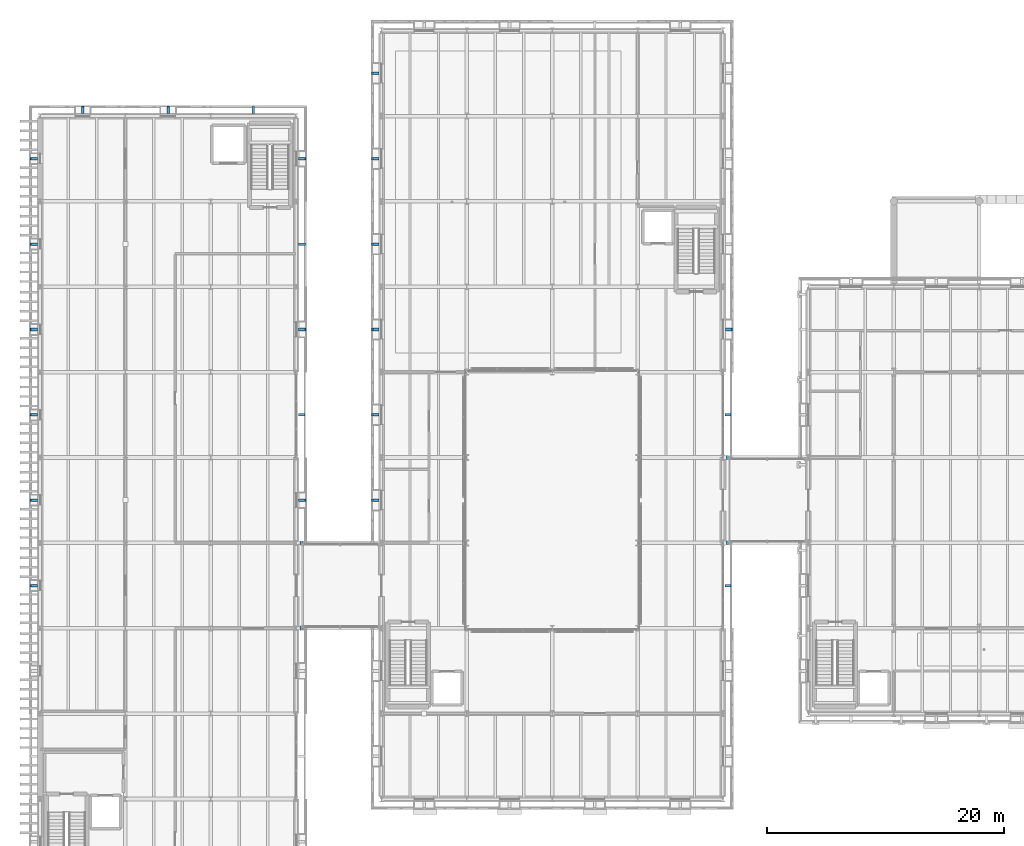
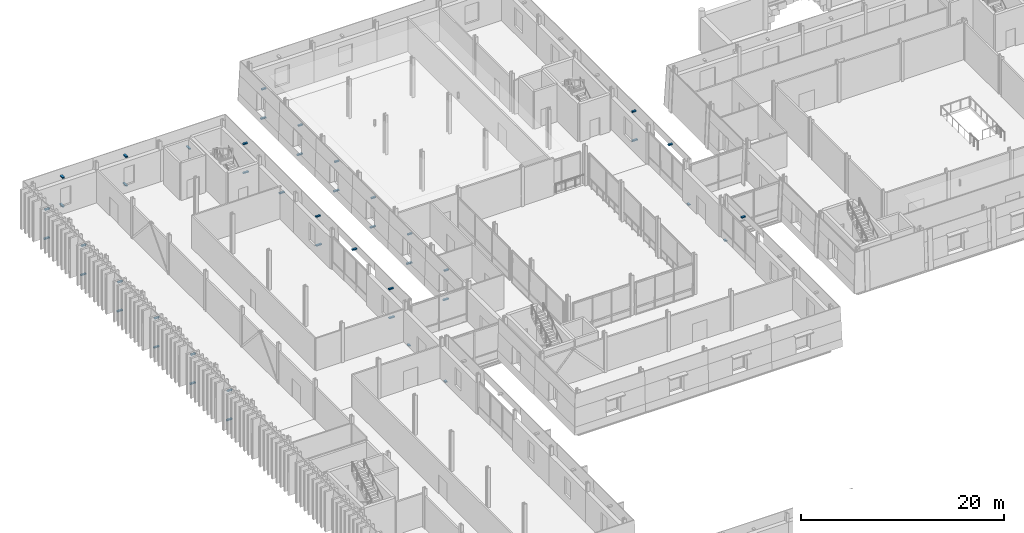
# One storey, part 94 of 121: 45 discrete accessories.
"""IFC4 building model written with IfcOpenShell, lengths in metres."""

from ifc_helpers import new_model, si_unit, direction, frame, origin, origin_2d, place, context, subcontext, project, spatial, rectangle, extrude, material, layer, layer_set, type_object, element, save


model = new_model("IFC4")

# Units and contexts
model_context = context("Model", 3, precision=1e-05, world=origin(), true_north=direction((0.0, 1.0)))
body_context = subcontext(model_context, "Body", "Model", "MODEL_VIEW")
ifc_project = project(units=[si_unit("LENGTHUNIT", "METRE"), si_unit("AREAUNIT", "SQUARE_METRE"), si_unit("VOLUMEUNIT", "CUBIC_METRE"), si_unit("PLANEANGLEUNIT", "RADIAN"), si_unit("MASSUNIT", "GRAM", prefix="KILO")], contexts=[model_context])

# Site, building, storey
site_placement = place(None, origin())
site = spatial("IfcSite", under=ifc_project, at=site_placement, CompositionType="ELEMENT")
building_placement = place(site_placement, origin())
building = spatial("IfcBuilding", under=site, at=building_placement, Name="Narikvali Park Central Library", CompositionType="ELEMENT")
storey_placement = place(building_placement, frame((0.0, 0.0, 5.39990234375)))
storey = spatial("IfcBuildingStorey", under=building, at=storey_placement, Name="L01", CompositionType="ELEMENT", Elevation=5.39990234375)

# Discrete accessories
ifc_material = material(Name="Brushed Stainless Steel S355", Category="steel")
ifc_layer_1 = layer(ifc_material, 0.139892578125, Name="Brushed Stainless Steel S355")
ifc_layer_set_1 = layer_set([ifc_layer_1], Name="Brushed Stainless Steel S355")
discrete_accessory_type_1 = type_object("IfcDiscreteAccessoryType", Name="Cladding Stainless Tie-Back Corbel Bracket", PredefinedType="BRACKET", material=ifc_layer_set_1)
for number, where, z_axis, x_axis, name in (
    (1, (58.040771484375, 68.39990234375, 4.2802734375), (0.0, 0.0, 1.0), (1.0, 0.0, 0.0), "Limestone Cladding Tie-Back Bracket V4-CLD-L01-E-B03-HDR"),
    (2, (58.040771484375, 82.800048828125, 4.2802734375), (0.0, 0.0, 1.0), (1.0, 0.0, 0.0), "Limestone Cladding Tie-Back Bracket V4-CLD-L01-E-B05-HDR"),
):
    element("IfcDiscreteAccessory", number, at=place(storey_placement, frame(where, z_axis=z_axis, x_axis=x_axis)), inside=storey, type_object=discrete_accessory_type_1, Name=name, PredefinedType="BRACKET", context=body_context, shape_type="SweptSolid", body=[
        extrude(rectangle(XDim=0.50146484375, YDim=0.219970703125, at=origin_2d()), origin(), (0.0, 0.0, 1.0), 0.139892578125),
    ])
discrete_accessory_1_placement = place(storey_placement, frame((58.1162109375, 90.0, 0.4052734375), z_axis=(0.0, 0.0, 1.0), x_axis=(1.0, 0.0, 0.0)))
element("IfcDiscreteAccessory", 3, at=discrete_accessory_1_placement, inside=storey, type_object=discrete_accessory_type_1, Name="Limestone Cladding Tie-Back Bracket V4-CLD-L01-E-B06-SP", PredefinedType="BRACKET", context=body_context, shape_type="SweptSolid", body=[
    extrude(rectangle(XDim=0.612060546875, YDim=0.219970703125, at=origin_2d()), origin(), (0.0, 0.0, 1.0), 0.139892578125),
])
discrete_accessory_2_placement = place(storey_placement, frame((58.05712890625, 90.0, 3.9052734375), z_axis=(0.0, 0.0, 1.0), x_axis=(1.0, 0.0, 0.0)))
element("IfcDiscreteAccessory", 4, at=discrete_accessory_2_placement, inside=storey, type_object=discrete_accessory_type_1, Name="Limestone Cladding Tie-Back Bracket V4-CLD-L01-E-B06-LN", PredefinedType="BRACKET", context=body_context, shape_type="SweptSolid", body=[
    extrude(rectangle(XDim=0.494140625, YDim=0.219970703125, at=origin_2d()), origin(), (0.0, 0.0, 1.0), 0.139892578125),
])
discrete_accessory_3_placement = place(storey_placement, frame((28.283935546875, 111.60009765625, 0.4052734375), z_axis=(0.0, 0.0, 1.0), x_axis=(1.0, 0.0, 0.0)))
element("IfcDiscreteAccessory", 5, at=discrete_accessory_3_placement, inside=storey, type_object=discrete_accessory_type_1, Name="Limestone Cladding Tie-Back Bracket V4-CLD-L01-W-B01-SP", PredefinedType="BRACKET", context=body_context, shape_type="SweptSolid", body=[
    extrude(rectangle(XDim=0.612060546875, YDim=0.219970703125, at=origin_2d()), origin(), (0.0, 0.0, 1.0), 0.139892578125),
])
discrete_accessory_4_placement = place(storey_placement, frame((28.343017578125, 111.60009765625, 3.9052734375), z_axis=(0.0, 0.0, 1.0), x_axis=(1.0, 0.0, 0.0)))
element("IfcDiscreteAccessory", 6, at=discrete_accessory_4_placement, inside=storey, type_object=discrete_accessory_type_1, Name="Limestone Cladding Tie-Back Bracket V4-CLD-L01-W-B01-LN", PredefinedType="BRACKET", context=body_context, shape_type="SweptSolid", body=[
    extrude(rectangle(XDim=0.494140625, YDim=0.219970703125, at=origin_2d()), origin(), (0.0, 0.0, 1.0), 0.139892578125),
])
discrete_accessory_5_placement = place(storey_placement, frame((28.283935546875, 104.39990234375, 0.4052734375), z_axis=(0.0, 0.0, 1.0), x_axis=(1.0, 0.0, 0.0)))
element("IfcDiscreteAccessory", 7, at=discrete_accessory_5_placement, inside=storey, type_object=discrete_accessory_type_1, Name="Limestone Cladding Tie-Back Bracket V4-CLD-L01-W-B02-SP", PredefinedType="BRACKET", context=body_context, shape_type="SweptSolid", body=[
    extrude(rectangle(XDim=0.612060546875, YDim=0.219970703125, at=origin_2d()), origin(), (0.0, 0.0, 1.0), 0.139892578125),
])
discrete_accessory_6_placement = place(storey_placement, frame((28.343017578125, 104.39990234375, 3.9052734375), z_axis=(0.0, 0.0, 1.0), x_axis=(1.0, 0.0, 0.0)))
element("IfcDiscreteAccessory", 8, at=discrete_accessory_6_placement, inside=storey, type_object=discrete_accessory_type_1, Name="Limestone Cladding Tie-Back Bracket V4-CLD-L01-W-B02-LN", PredefinedType="BRACKET", context=body_context, shape_type="SweptSolid", body=[
    extrude(rectangle(XDim=0.494140625, YDim=0.219970703125, at=origin_2d()), origin(), (0.0, 0.0, 1.0), 0.139892578125),
])
discrete_accessory_7_placement = place(storey_placement, frame((28.283935546875, 97.199951171875, 0.4052734375), z_axis=(0.0, 0.0, 1.0), x_axis=(1.0, 0.0, 0.0)))
element("IfcDiscreteAccessory", 9, at=discrete_accessory_7_placement, inside=storey, type_object=discrete_accessory_type_1, Name="Limestone Cladding Tie-Back Bracket V4-CLD-L01-W-B03-SP", PredefinedType="BRACKET", context=body_context, shape_type="SweptSolid", body=[
    extrude(rectangle(XDim=0.612060546875, YDim=0.219970703125, at=origin_2d()), origin(), (0.0, 0.0, 1.0), 0.139892578125),
])
discrete_accessory_8_placement = place(storey_placement, frame((28.343017578125, 97.199951171875, 3.9052734375), z_axis=(0.0, 0.0, 1.0), x_axis=(1.0, 0.0, 0.0)))
element("IfcDiscreteAccessory", 10, at=discrete_accessory_8_placement, inside=storey, type_object=discrete_accessory_type_1, Name="Limestone Cladding Tie-Back Bracket V4-CLD-L01-W-B03-LN", PredefinedType="BRACKET", context=body_context, shape_type="SweptSolid", body=[
    extrude(rectangle(XDim=0.494140625, YDim=0.219970703125, at=origin_2d()), origin(), (0.0, 0.0, 1.0), 0.139892578125),
])
discrete_accessory_9_placement = place(storey_placement, frame((28.283935546875, 90.0, 0.4052734375), z_axis=(0.0, 0.0, 1.0), x_axis=(1.0, 0.0, 0.0)))
element("IfcDiscreteAccessory", 11, at=discrete_accessory_9_placement, inside=storey, type_object=discrete_accessory_type_1, Name="Limestone Cladding Tie-Back Bracket V4-CLD-L01-W-B04-SP", PredefinedType="BRACKET", context=body_context, shape_type="SweptSolid", body=[
    extrude(rectangle(XDim=0.612060546875, YDim=0.219970703125, at=origin_2d()), origin(), (0.0, 0.0, 1.0), 0.139892578125),
])
discrete_accessory_10_placement = place(storey_placement, frame((28.343017578125, 90.0, 3.9052734375), z_axis=(0.0, 0.0, 1.0), x_axis=(1.0, 0.0, 0.0)))
element("IfcDiscreteAccessory", 12, at=discrete_accessory_10_placement, inside=storey, type_object=discrete_accessory_type_1, Name="Limestone Cladding Tie-Back Bracket V4-CLD-L01-W-B04-LN", PredefinedType="BRACKET", context=body_context, shape_type="SweptSolid", body=[
    extrude(rectangle(XDim=0.494140625, YDim=0.219970703125, at=origin_2d()), origin(), (0.0, 0.0, 1.0), 0.139892578125),
])
discrete_accessory_11_placement = place(storey_placement, frame((28.283935546875, 82.800048828125, 0.4052734375), z_axis=(0.0, 0.0, 1.0), x_axis=(1.0, 0.0, 0.0)))
element("IfcDiscreteAccessory", 13, at=discrete_accessory_11_placement, inside=storey, type_object=discrete_accessory_type_1, Name="Limestone Cladding Tie-Back Bracket V4-CLD-L01-W-B05-SP", PredefinedType="BRACKET", context=body_context, shape_type="SweptSolid", body=[
    extrude(rectangle(XDim=0.612060546875, YDim=0.219970703125, at=origin_2d()), origin(), (0.0, 0.0, 1.0), 0.139892578125),
])
discrete_accessory_12_placement = place(storey_placement, frame((28.343017578125, 82.800048828125, 3.9052734375), z_axis=(0.0, 0.0, 1.0), x_axis=(1.0, 0.0, 0.0)))
element("IfcDiscreteAccessory", 14, at=discrete_accessory_12_placement, inside=storey, type_object=discrete_accessory_type_1, Name="Limestone Cladding Tie-Back Bracket V4-CLD-L01-W-B05-LN", PredefinedType="BRACKET", context=body_context, shape_type="SweptSolid", body=[
    extrude(rectangle(XDim=0.494140625, YDim=0.219970703125, at=origin_2d()), origin(), (0.0, 0.0, 1.0), 0.139892578125),
])
discrete_accessory_13_placement = place(storey_placement, frame((28.283935546875, 75.60009765625, 0.4052734375), z_axis=(0.0, 0.0, 1.0), x_axis=(1.0, 0.0, 0.0)))
element("IfcDiscreteAccessory", 15, at=discrete_accessory_13_placement, inside=storey, type_object=discrete_accessory_type_1, Name="Limestone Cladding Tie-Back Bracket V4-CLD-L01-W-B06-SP", PredefinedType="BRACKET", context=body_context, shape_type="SweptSolid", body=[
    extrude(rectangle(XDim=0.612060546875, YDim=0.219970703125, at=origin_2d()), origin(), (0.0, 0.0, 1.0), 0.139892578125),
])
discrete_accessory_14_placement = place(storey_placement, frame((28.343017578125, 75.60009765625, 3.9052734375), z_axis=(0.0, 0.0, 1.0), x_axis=(1.0, 0.0, 0.0)))
element("IfcDiscreteAccessory", 16, at=discrete_accessory_14_placement, inside=storey, type_object=discrete_accessory_type_1, Name="Limestone Cladding Tie-Back Bracket V4-CLD-L01-W-B06-LN", PredefinedType="BRACKET", context=body_context, shape_type="SweptSolid", body=[
    extrude(rectangle(XDim=0.494140625, YDim=0.219970703125, at=origin_2d()), origin(), (0.0, 0.0, 1.0), 0.139892578125),
])
discrete_accessory_15_placement = place(storey_placement, frame((22.131591796875, 75.60009765625, 0.4052734375), z_axis=(0.0, 0.0, 1.0), x_axis=(1.0, 0.0, 0.0)))
element("IfcDiscreteAccessory", 17, at=discrete_accessory_15_placement, inside=storey, type_object=discrete_accessory_type_1, Name="Limestone Cladding Tie-Back Bracket V5-CLD-L01-E-B07-SP", PredefinedType="BRACKET", context=body_context, shape_type="SweptSolid", body=[
    extrude(rectangle(XDim=0.643310546875, YDim=0.219970703125, at=origin_2d()), origin(), (0.0, 0.0, 1.0), 0.139892578125),
])
discrete_accessory_16_placement = place(storey_placement, frame((22.08251953125, 75.60009765625, 3.88037109375), z_axis=(0.0, 0.0, 1.0), x_axis=(1.0, 0.0, 0.0)))
element("IfcDiscreteAccessory", 18, at=discrete_accessory_16_placement, inside=storey, type_object=discrete_accessory_type_1, Name="Limestone Cladding Tie-Back Bracket V5-CLD-L01-E-B07-LN", PredefinedType="BRACKET", context=body_context, shape_type="SweptSolid", body=[
    extrude(rectangle(XDim=0.544921875, YDim=0.219970703125, at=origin_2d()), origin(), (0.0, 0.0, 1.0), 0.139892578125),
])
discrete_accessory_17_placement = place(storey_placement, frame((22.06689453125, 82.800048828125, 4.27001953125), z_axis=(0.0, 0.0, 1.0), x_axis=(1.0, 0.0, 0.0)))
element("IfcDiscreteAccessory", 19, at=discrete_accessory_17_placement, inside=storey, type_object=discrete_accessory_type_1, Name="Limestone Cladding Tie-Back Bracket V5-CLD-L01-E-B08-HDR", PredefinedType="BRACKET", context=body_context, shape_type="SweptSolid", body=[
    extrude(rectangle(XDim=0.5537109375, YDim=0.219970703125, at=origin_2d()), origin(), (0.0, 0.0, 1.0), 0.139892578125),
])
discrete_accessory_18_placement = place(storey_placement, frame((22.131591796875, 90.0, 0.4052734375), z_axis=(0.0, 0.0, 1.0), x_axis=(1.0, 0.0, 0.0)))
element("IfcDiscreteAccessory", 20, at=discrete_accessory_18_placement, inside=storey, type_object=discrete_accessory_type_1, Name="Limestone Cladding Tie-Back Bracket V5-CLD-L01-E-B09-SP", PredefinedType="BRACKET", context=body_context, shape_type="SweptSolid", body=[
    extrude(rectangle(XDim=0.643310546875, YDim=0.219970703125, at=origin_2d()), origin(), (0.0, 0.0, 1.0), 0.139892578125),
])
discrete_accessory_19_placement = place(storey_placement, frame((22.08251953125, 90.0, 3.88037109375), z_axis=(0.0, 0.0, 1.0), x_axis=(1.0, 0.0, 0.0)))
element("IfcDiscreteAccessory", 21, at=discrete_accessory_19_placement, inside=storey, type_object=discrete_accessory_type_1, Name="Limestone Cladding Tie-Back Bracket V5-CLD-L01-E-B09-LN", PredefinedType="BRACKET", context=body_context, shape_type="SweptSolid", body=[
    extrude(rectangle(XDim=0.544921875, YDim=0.219970703125, at=origin_2d()), origin(), (0.0, 0.0, 1.0), 0.139892578125),
])
discrete_accessory_20_placement = place(storey_placement, frame((22.1044921875, 97.199951171875, 2.330078125), z_axis=(0.0, 0.0, 1.0), x_axis=(1.0, 0.0, 0.0)))
element("IfcDiscreteAccessory", 22, at=discrete_accessory_20_placement, inside=storey, type_object=discrete_accessory_type_1, Name="Limestone Cladding Tie-Back Bracket V5-CLD-L01-E-B10-FULL", PredefinedType="BRACKET", context=body_context, shape_type="SweptSolid", body=[
    extrude(rectangle(XDim=0.588623046875, YDim=0.219970703125, at=origin_2d()), origin(), (0.0, 0.0, 1.0), 0.139892578125),
])
discrete_accessory_21_placement = place(storey_placement, frame((22.131591796875, 104.39990234375, 0.4052734375), z_axis=(0.0, 0.0, 1.0), x_axis=(1.0, 0.0, 0.0)))
element("IfcDiscreteAccessory", 23, at=discrete_accessory_21_placement, inside=storey, type_object=discrete_accessory_type_1, Name="Limestone Cladding Tie-Back Bracket V5-CLD-L01-E-B11-SP", PredefinedType="BRACKET", context=body_context, shape_type="SweptSolid", body=[
    extrude(rectangle(XDim=0.643310546875, YDim=0.219970703125, at=origin_2d()), origin(), (0.0, 0.0, 1.0), 0.139892578125),
])
discrete_accessory_22_placement = place(storey_placement, frame((22.08251953125, 104.39990234375, 3.88037109375), z_axis=(0.0, 0.0, 1.0), x_axis=(1.0, 0.0, 0.0)))
element("IfcDiscreteAccessory", 24, at=discrete_accessory_22_placement, inside=storey, type_object=discrete_accessory_type_1, Name="Limestone Cladding Tie-Back Bracket V5-CLD-L01-E-B11-LN", PredefinedType="BRACKET", context=body_context, shape_type="SweptSolid", body=[
    extrude(rectangle(XDim=0.544921875, YDim=0.219970703125, at=origin_2d()), origin(), (0.0, 0.0, 1.0), 0.139892578125),
])
discrete_accessory_23_placement = place(storey_placement, frame((18.0, 108.50439453125, 2.330078125), z_axis=(0.0, 0.0, 1.0), x_axis=(1.0, 0.0, 0.0)))
element("IfcDiscreteAccessory", 25, at=discrete_accessory_23_placement, inside=storey, type_object=discrete_accessory_type_1, Name="Limestone Cladding Tie-Back Bracket V5-CLD-L01-N-B01-FULL", PredefinedType="BRACKET", context=body_context, shape_type="SweptSolid", body=[
    extrude(rectangle(XDim=0.219970703125, YDim=0.588623046875, at=origin_2d()), origin(), (0.0, 0.0, 1.0), 0.139892578125),
])
discrete_accessory_24_placement = place(storey_placement, frame((10.800048828125, 108.53173828125, 0.4052734375), z_axis=(0.0, 0.0, 1.0), x_axis=(1.0, 0.0, 0.0)))
element("IfcDiscreteAccessory", 26, at=discrete_accessory_24_placement, inside=storey, type_object=discrete_accessory_type_1, Name="Limestone Cladding Tie-Back Bracket V5-CLD-L01-N-B02-SP", PredefinedType="BRACKET", context=body_context, shape_type="SweptSolid", body=[
    extrude(rectangle(XDim=0.219970703125, YDim=0.643310546875, at=origin_2d()), origin(), (0.0, 0.0, 1.0), 0.139892578125),
])
discrete_accessory_25_placement = place(storey_placement, frame((10.800048828125, 108.482421875, 3.88037109375), z_axis=(0.0, 0.0, 1.0), x_axis=(1.0, 0.0, 0.0)))
element("IfcDiscreteAccessory", 27, at=discrete_accessory_25_placement, inside=storey, type_object=discrete_accessory_type_1, Name="Limestone Cladding Tie-Back Bracket V5-CLD-L01-N-B02-LN", PredefinedType="BRACKET", context=body_context, shape_type="SweptSolid", body=[
    extrude(rectangle(XDim=0.219970703125, YDim=0.544921875, at=origin_2d()), origin(), (0.0, 0.0, 1.0), 0.139892578125),
])
discrete_accessory_26_placement = place(storey_placement, frame((3.60009765625, 108.53173828125, 0.4052734375), z_axis=(0.0, 0.0, 1.0), x_axis=(1.0, 0.0, 0.0)))
element("IfcDiscreteAccessory", 28, at=discrete_accessory_26_placement, inside=storey, type_object=discrete_accessory_type_1, Name="Limestone Cladding Tie-Back Bracket V5-CLD-L01-N-B03-SP", PredefinedType="BRACKET", context=body_context, shape_type="SweptSolid", body=[
    extrude(rectangle(XDim=0.219970703125, YDim=0.643310546875, at=origin_2d()), origin(), (0.0, 0.0, 1.0), 0.139892578125),
])
discrete_accessory_27_placement = place(storey_placement, frame((3.60009765625, 108.482421875, 3.88037109375), z_axis=(0.0, 0.0, 1.0), x_axis=(1.0, 0.0, 0.0)))
element("IfcDiscreteAccessory", 29, at=discrete_accessory_27_placement, inside=storey, type_object=discrete_accessory_type_1, Name="Limestone Cladding Tie-Back Bracket V5-CLD-L01-N-B03-LN", PredefinedType="BRACKET", context=body_context, shape_type="SweptSolid", body=[
    extrude(rectangle(XDim=0.219970703125, YDim=0.544921875, at=origin_2d()), origin(), (0.0, 0.0, 1.0), 0.139892578125),
])
discrete_accessory_28_placement = place(storey_placement, frame((-0.53173828125, 104.39990234375, 0.4052734375), z_axis=(0.0, 0.0, 1.0), x_axis=(1.0, 0.0, 0.0)))
element("IfcDiscreteAccessory", 30, at=discrete_accessory_28_placement, inside=storey, type_object=discrete_accessory_type_1, Name="Limestone Cladding Tie-Back Bracket V5-CLD-L01-W-B01-SP", PredefinedType="BRACKET", context=body_context, shape_type="SweptSolid", body=[
    extrude(rectangle(XDim=0.643310546875, YDim=0.219970703125, at=origin_2d()), origin(), (0.0, 0.0, 1.0), 0.139892578125),
])
discrete_accessory_29_placement = place(storey_placement, frame((-0.482421875, 104.39990234375, 3.88037109375), z_axis=(0.0, 0.0, 1.0), x_axis=(1.0, 0.0, 0.0)))
element("IfcDiscreteAccessory", 31, at=discrete_accessory_29_placement, inside=storey, type_object=discrete_accessory_type_1, Name="Limestone Cladding Tie-Back Bracket V5-CLD-L01-W-B01-LN", PredefinedType="BRACKET", context=body_context, shape_type="SweptSolid", body=[
    extrude(rectangle(XDim=0.544921875, YDim=0.219970703125, at=origin_2d()), origin(), (0.0, 0.0, 1.0), 0.139892578125),
])
discrete_accessory_30_placement = place(storey_placement, frame((-0.53173828125, 97.199951171875, 0.4052734375), z_axis=(0.0, 0.0, 1.0), x_axis=(1.0, 0.0, 0.0)))
element("IfcDiscreteAccessory", 32, at=discrete_accessory_30_placement, inside=storey, type_object=discrete_accessory_type_1, Name="Limestone Cladding Tie-Back Bracket V5-CLD-L01-W-B02-SP", PredefinedType="BRACKET", context=body_context, shape_type="SweptSolid", body=[
    extrude(rectangle(XDim=0.643310546875, YDim=0.219970703125, at=origin_2d()), origin(), (0.0, 0.0, 1.0), 0.139892578125),
])
discrete_accessory_31_placement = place(storey_placement, frame((-0.482421875, 97.199951171875, 3.88037109375), z_axis=(0.0, 0.0, 1.0), x_axis=(1.0, 0.0, 0.0)))
element("IfcDiscreteAccessory", 33, at=discrete_accessory_31_placement, inside=storey, type_object=discrete_accessory_type_1, Name="Limestone Cladding Tie-Back Bracket V5-CLD-L01-W-B02-LN", PredefinedType="BRACKET", context=body_context, shape_type="SweptSolid", body=[
    extrude(rectangle(XDim=0.544921875, YDim=0.219970703125, at=origin_2d()), origin(), (0.0, 0.0, 1.0), 0.139892578125),
])
discrete_accessory_32_placement = place(storey_placement, frame((-0.53173828125, 90.0, 0.4052734375), z_axis=(0.0, 0.0, 1.0), x_axis=(1.0, 0.0, 0.0)))
element("IfcDiscreteAccessory", 34, at=discrete_accessory_32_placement, inside=storey, type_object=discrete_accessory_type_1, Name="Limestone Cladding Tie-Back Bracket V5-CLD-L01-W-B03-SP", PredefinedType="BRACKET", context=body_context, shape_type="SweptSolid", body=[
    extrude(rectangle(XDim=0.643310546875, YDim=0.219970703125, at=origin_2d()), origin(), (0.0, 0.0, 1.0), 0.139892578125),
])
discrete_accessory_33_placement = place(storey_placement, frame((-0.482421875, 90.0, 3.88037109375), z_axis=(0.0, 0.0, 1.0), x_axis=(1.0, 0.0, 0.0)))
element("IfcDiscreteAccessory", 35, at=discrete_accessory_33_placement, inside=storey, type_object=discrete_accessory_type_1, Name="Limestone Cladding Tie-Back Bracket V5-CLD-L01-W-B03-LN", PredefinedType="BRACKET", context=body_context, shape_type="SweptSolid", body=[
    extrude(rectangle(XDim=0.544921875, YDim=0.219970703125, at=origin_2d()), origin(), (0.0, 0.0, 1.0), 0.139892578125),
])
discrete_accessory_34_placement = place(storey_placement, frame((-0.53173828125, 82.800048828125, 0.4052734375), z_axis=(0.0, 0.0, 1.0), x_axis=(1.0, 0.0, 0.0)))
element("IfcDiscreteAccessory", 36, at=discrete_accessory_34_placement, inside=storey, type_object=discrete_accessory_type_1, Name="Limestone Cladding Tie-Back Bracket V5-CLD-L01-W-B04-SP", PredefinedType="BRACKET", context=body_context, shape_type="SweptSolid", body=[
    extrude(rectangle(XDim=0.643310546875, YDim=0.219970703125, at=origin_2d()), origin(), (0.0, 0.0, 1.0), 0.139892578125),
])
discrete_accessory_35_placement = place(storey_placement, frame((-0.482421875, 82.800048828125, 3.88037109375), z_axis=(0.0, 0.0, 1.0), x_axis=(1.0, 0.0, 0.0)))
element("IfcDiscreteAccessory", 37, at=discrete_accessory_35_placement, inside=storey, type_object=discrete_accessory_type_1, Name="Limestone Cladding Tie-Back Bracket V5-CLD-L01-W-B04-LN", PredefinedType="BRACKET", context=body_context, shape_type="SweptSolid", body=[
    extrude(rectangle(XDim=0.544921875, YDim=0.219970703125, at=origin_2d()), origin(), (0.0, 0.0, 1.0), 0.139892578125),
])
discrete_accessory_36_placement = place(storey_placement, frame((-0.53173828125, 75.60009765625, 0.4052734375), z_axis=(0.0, 0.0, 1.0), x_axis=(1.0, 0.0, 0.0)))
element("IfcDiscreteAccessory", 38, at=discrete_accessory_36_placement, inside=storey, type_object=discrete_accessory_type_1, Name="Limestone Cladding Tie-Back Bracket V5-CLD-L01-W-B05-SP", PredefinedType="BRACKET", context=body_context, shape_type="SweptSolid", body=[
    extrude(rectangle(XDim=0.643310546875, YDim=0.219970703125, at=origin_2d()), origin(), (0.0, 0.0, 1.0), 0.139892578125),
])
discrete_accessory_37_placement = place(storey_placement, frame((-0.482421875, 75.60009765625, 3.88037109375), z_axis=(0.0, 0.0, 1.0), x_axis=(1.0, 0.0, 0.0)))
element("IfcDiscreteAccessory", 39, at=discrete_accessory_37_placement, inside=storey, type_object=discrete_accessory_type_1, Name="Limestone Cladding Tie-Back Bracket V5-CLD-L01-W-B05-LN", PredefinedType="BRACKET", context=body_context, shape_type="SweptSolid", body=[
    extrude(rectangle(XDim=0.544921875, YDim=0.219970703125, at=origin_2d()), origin(), (0.0, 0.0, 1.0), 0.139892578125),
])
discrete_accessory_38_placement = place(storey_placement, frame((-0.53173828125, 68.39990234375, 0.4052734375), z_axis=(0.0, 0.0, 1.0), x_axis=(1.0, 0.0, 0.0)))
element("IfcDiscreteAccessory", 40, at=discrete_accessory_38_placement, inside=storey, type_object=discrete_accessory_type_1, Name="Limestone Cladding Tie-Back Bracket V5-CLD-L01-W-B06-SP", PredefinedType="BRACKET", context=body_context, shape_type="SweptSolid", body=[
    extrude(rectangle(XDim=0.643310546875, YDim=0.219970703125, at=origin_2d()), origin(), (0.0, 0.0, 1.0), 0.139892578125),
])
discrete_accessory_39_placement = place(storey_placement, frame((-0.482421875, 68.39990234375, 3.88037109375), z_axis=(0.0, 0.0, 1.0), x_axis=(1.0, 0.0, 0.0)))
element("IfcDiscreteAccessory", 41, at=discrete_accessory_39_placement, inside=storey, type_object=discrete_accessory_type_1, Name="Limestone Cladding Tie-Back Bracket V5-CLD-L01-W-B06-LN", PredefinedType="BRACKET", context=body_context, shape_type="SweptSolid", body=[
    extrude(rectangle(XDim=0.544921875, YDim=0.219970703125, at=origin_2d()), origin(), (0.0, 0.0, 1.0), 0.139892578125),
])
ifc_layer_2 = layer(ifc_material, 0.080078125, Name="Brushed Stainless Steel S355")
ifc_layer_set_2 = layer_set([ifc_layer_2], Name="Brushed Stainless Steel S355")
discrete_accessory_type_2 = type_object("IfcDiscreteAccessoryType", Name="Unguided PTFE Sliding Bridge Bearing", PredefinedType="BRACKET", material=ifc_layer_set_2)
for number, where, z_axis, x_axis, name in (
    (42, (22.030029296875, 64.800048828125, -0.679931640625), (0.0, 0.0, 1.0), (1.0, 0.0, 0.0), "BRG-1 L01 Unguided PTFE Sliding Bearing 1"),
    (43, (22.030029296875, 72.0, -0.679931640625), (0.0, 0.0, 1.0), (1.0, 0.0, 0.0), "BRG-1 L01 Unguided PTFE Sliding Bearing 2"),
    (44, (58.030029296875, 72.0, -0.679931640625), (0.0, 0.0, 1.0), (1.0, 0.0, 0.0), "BRG-2 L01 Unguided PTFE Sliding Bearing 1"),
    (45, (58.030029296875, 79.199951171875, -0.679931640625), (0.0, 0.0, 1.0), (1.0, 0.0, 0.0), "BRG-2 L01 Unguided PTFE Sliding Bearing 2"),
):
    element("IfcDiscreteAccessory", number, at=place(storey_placement, frame(where, z_axis=z_axis, x_axis=x_axis)), inside=storey, type_object=discrete_accessory_type_2, Name=name, PredefinedType="BRACKET", context=body_context, shape_type="SweptSolid", body=[
        extrude(rectangle(XDim=0.239990234375, YDim=0.360107421875, at=origin_2d()), origin(), (0.0, 0.0, 1.0), 0.080078125),
    ])

save(model, "model.ifc")
